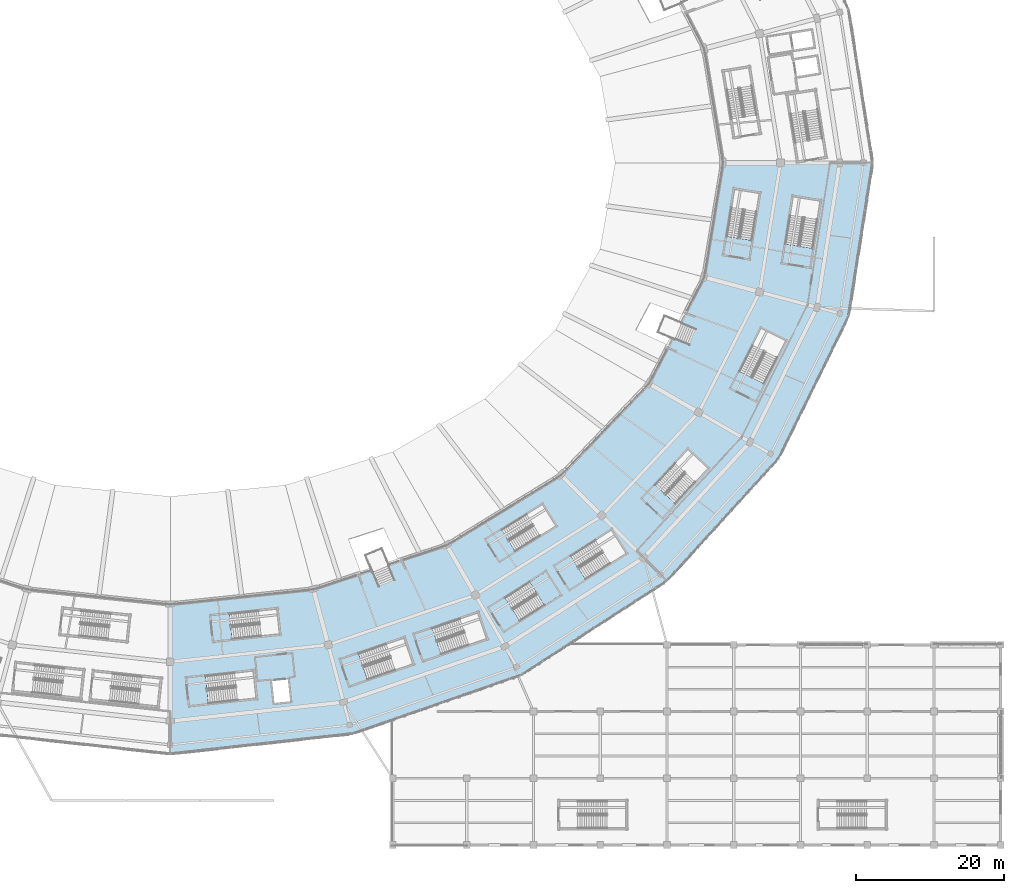
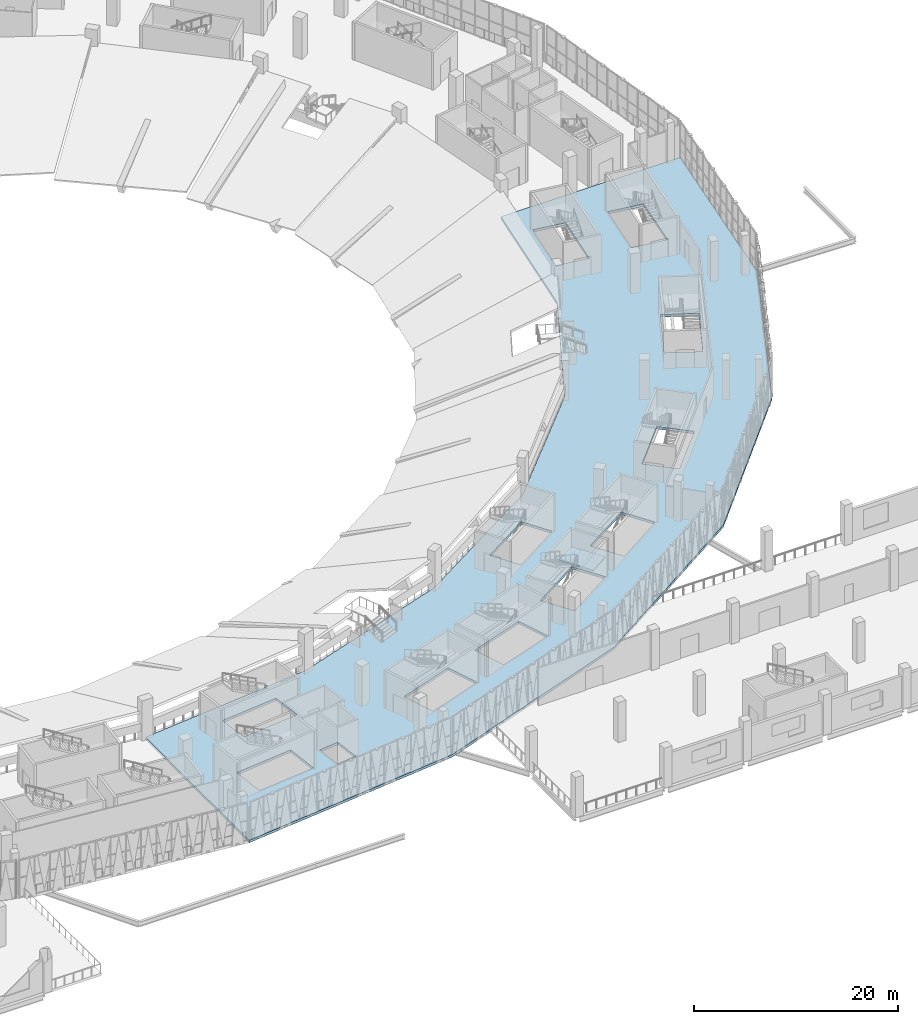
# One storey, part 81 of 183: 2 slabs, 1 element without a shape of its own.
"""IFC4 building model written with IfcOpenShell, lengths in metres."""

from ifc_helpers import new_model, si_unit, direction, frame, origin, place, context, subcontext, project, spatial, polyline, outline, extrude, material, layer, layer_set, type_object, element, aggregate, save


model = new_model("IFC4")

# Units and contexts
model_context = context("Model", 3, precision=1e-05, world=origin(), true_north=direction((0.0, 1.0)))
body_context = subcontext(model_context, "Body", "Model", "MODEL_VIEW")
ifc_project = project(units=[si_unit("LENGTHUNIT", "METRE"), si_unit("AREAUNIT", "SQUARE_METRE"), si_unit("VOLUMEUNIT", "CUBIC_METRE"), si_unit("PLANEANGLEUNIT", "RADIAN"), si_unit("MASSUNIT", "GRAM", prefix="KILO")], contexts=[model_context])

# Site, building, storey
site_placement = place(None, origin())
site = spatial("IfcSite", under=ifc_project, at=site_placement, CompositionType="ELEMENT")
building_placement = place(site_placement, origin())
building = spatial("IfcBuilding", under=site, at=building_placement, Name="Zevraka Park Crest Stadium", CompositionType="ELEMENT")
storey_placement = place(building_placement, frame((0.0, 0.0, 5.39990234375)))
storey = spatial("IfcBuildingStorey", under=building, at=storey_placement, Name="L01", CompositionType="ELEMENT", Elevation=5.39990234375)

# Slab
ifc_material_1 = material(Name="Concrete C35/45", Category="concrete")
ifc_layer_1 = layer(ifc_material_1, 0.300048828125)
ifc_layer_set_1 = layer_set([ifc_layer_1], Name="Concrete C35/45")
slab_type_1 = type_object("IfcSlabType", Name="FS01", PredefinedType="FLOOR", material=ifc_layer_set_1)
slab_1_placement = place(storey_placement, frame((0.0, 0.0, -0.2998046875)))
element("IfcSlab", 1, at=slab_1_placement, inside=storey, type_object=slab_type_1, Name="Bowl Concourse Ring Slab L01 Q4-SE-1", PredefinedType="FLOOR", context=body_context, shape_type="SweptSolid", body=[
    extrude(outline(polyline([(131.281982421875, 34.527099609375), (149.25, 40.470947265625), (164.678955078125, 49.927001953125), (176.51904296875, 62.25), (183.9609375, 76.60009765625), (186.5, 92.0), (206.800048828125, 92.0), (203.570068359375, 71.345947265625), (194.09912109375, 52.10009765625), (179.033935546875, 35.572998046875), (159.39990234375, 22.89111328125), (136.535888671875, 14.9189453125), (112.0, 12.199951171875), (112.0, 32.5), (131.281982421875, 34.527099609375)]), holes=[polyline([(127.885009765625, 22.343994140625), (125.697998046875, 22.10498046875), (126.02294921875, 19.1220703125), (128.2099609375, 19.361083984375), (127.885009765625, 22.343994140625)]), polyline([(123.634033203125, 19.77490234375), (123.22705078125, 23.512939453125), (116.7451171875, 22.80810546875), (117.152099609375, 19.070068359375), (123.634033203125, 19.77490234375)]), polyline([(144.780029296875, 24.403076171875), (143.56201171875, 27.9599609375), (137.39306640625, 25.847900390625), (138.612060546875, 22.291015625), (144.780029296875, 24.403076171875)]), polyline([(153.49609375, 31.361083984375), (147.326904296875, 29.2490234375), (148.5458984375, 25.69189453125), (154.714111328125, 27.803955078125), (153.49609375, 31.361083984375)]), polyline([(126.779052734375, 28.43310546875), (126.412109375, 31.8740234375), (119.97900390625, 31.18896484375), (120.344970703125, 27.7490234375), (126.779052734375, 28.43310546875)]), polyline([(164.032958984375, 43.02001953125), (162.2080078125, 45.9599609375), (156.7109375, 42.549072265625), (158.534912109375, 39.60888671875), (164.032958984375, 43.02001953125)]), polyline([(162.64794921875, 36.881103515625), (157.14306640625, 33.387939453125), (159.156982421875, 30.212890625), (164.6630859375, 33.7060546875), (162.64794921875, 36.881103515625)]), polyline([(173.529052734375, 39.3310546875), (171.513916015625, 42.506103515625), (166.009033203125, 39.012939453125), (168.02294921875, 35.837890625), (173.529052734375, 39.3310546875)]), polyline([(184.572998046875, 50.822998046875), (181.81689453125, 53.381103515625), (177.382080078125, 48.60205078125), (180.137939453125, 46.0439453125), (184.572998046875, 50.822998046875)]), polyline([(191.6689453125, 69.721923828125), (188.748046875, 63.89208984375), (192.110107421875, 62.2080078125), (195.031005859375, 68.037109375), (191.6689453125, 69.721923828125)]), polyline([(199.69189453125, 86.906982421875), (195.97900390625, 87.4990234375), (194.9541015625, 81.06005859375), (198.6669921875, 80.468994140625), (199.69189453125, 86.906982421875)]), polyline([(191.489990234375, 87.93408203125), (188.074951171875, 88.489990234375), (187.035888671875, 82.10400390625), (190.450927734375, 81.548095703125), (191.489990234375, 87.93408203125)])]), origin(), (0.0, 0.0, 1.0), 0.2998046875),
])

# Stair, slab
ifc_material_2 = material(Name="Concrete C35/45", Category="concrete")
stair_type = type_object("IfcStairType", Name="STA2", PredefinedType="HALF_TURN_STAIR", material=ifc_material_2)
stair_placement = place(storey_placement, origin())
stair = element("IfcStair", 2, at=stair_placement, inside=storey, type_object=stair_type, Name="L01 Protected Concourse Exit Stair ST21", PredefinedType="HALF_TURN_STAIR")
ifc_material_3 = material(Name="Concrete C35/45", Category="concrete")
ifc_layer_2 = layer(ifc_material_3, 0.199951171875)
ifc_layer_set_2 = layer_set([ifc_layer_2], Name="Concrete C35/45")
slab_type_2 = type_object("IfcSlabType", Name="LS01", PredefinedType="LANDING", material=ifc_layer_set_2)
slab_2_placement = place(storey_placement, frame((0.0, 0.0, 2.2001953125)))
slab_2 = element("IfcSlab", 3, at=slab_2_placement, type_object=slab_type_2, Name="ST21 landing 1", PredefinedType="LANDING", context=body_context, shape_type="SweptSolid", body=[
    extrude(outline(polyline([(162.458984375, 32.30810546875), (164.662841796875, 33.706298828125), (162.6484375, 36.881103515625), (160.444580078125, 35.48291015625), (162.458984375, 32.30810546875)])), origin(), (0.0, 0.0, 1.0), 0.199951171875),
])
aggregate(stair, [slab_2])

save(model, "model.ifc")
